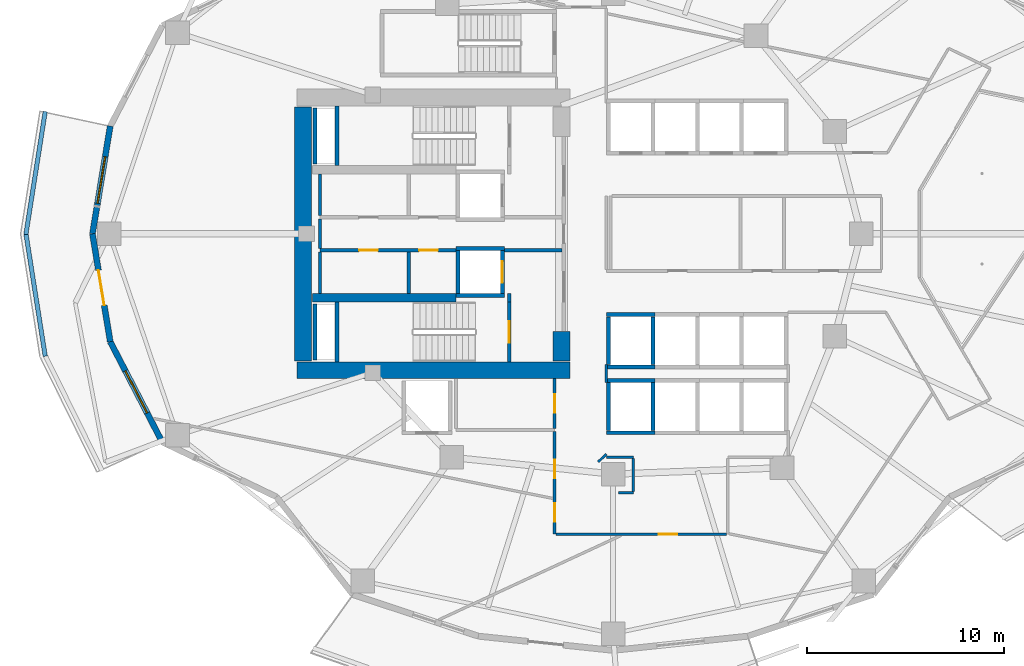
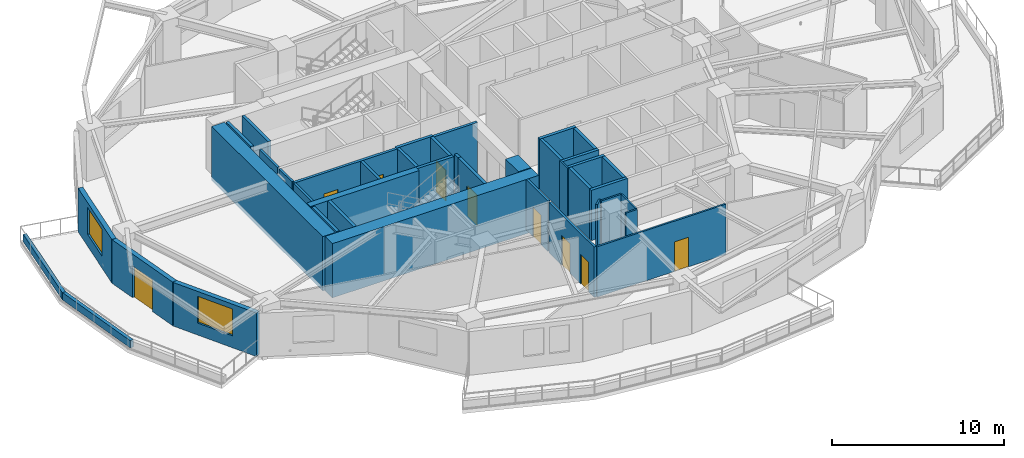
# One storey, part 3 of 14: 41 walls, 9 doors, 2 windows, 11 openings.
"""IFC4 building model written with IfcOpenShell, lengths in metres."""

from ifc_helpers import new_model, si_unit, direction, frame, frame_2d, origin, place, context, subcontext, project, spatial, rectangle, extrude, material, layer, layer_set, type_object, element, fill, save


model = new_model("IFC4")

# Units and contexts
model_context = context("Model", 3, precision=1e-05, world=origin(), true_north=direction((0.0, 1.0)))
body_context = subcontext(model_context, "Body", "Model", "MODEL_VIEW")
ifc_project = project(units=[si_unit("LENGTHUNIT", "METRE"), si_unit("AREAUNIT", "SQUARE_METRE"), si_unit("VOLUMEUNIT", "CUBIC_METRE"), si_unit("PLANEANGLEUNIT", "RADIAN"), si_unit("MASSUNIT", "GRAM", prefix="KILO")], contexts=[model_context])

# Site, building, storey
site_placement = place(None, origin())
site = spatial("IfcSite", under=ifc_project, at=site_placement, CompositionType="ELEMENT")
building_placement = place(site_placement, origin())
building = spatial("IfcBuilding", under=site, at=building_placement, Name="Kolvaren Gate Tower and Convention Centre", CompositionType="ELEMENT")
storey_placement = place(building_placement, frame((0.0, 0.0, 57.300048828125)))
storey = spatial("IfcBuildingStorey", under=building, at=storey_placement, Name="L13", CompositionType="ELEMENT", Elevation=57.300048828125)

# Wall
ifc_material_1 = material(Name="Autoclaved Aerated Masonry Blockwork Class 4 (4.0 MPa)", Category="masonry")
ifc_layer_1 = layer(ifc_material_1, 0.179931640625)
ifc_layer_set_1 = layer_set([ifc_layer_1], Name="Autoclaved Aerated Masonry Blockwork Class 4 (4.0 MPa)")
wall_type_1 = type_object("IfcWallType", Name="ARCH-WL-COMP-180", PredefinedType="SOLIDWALL", material=ifc_layer_set_1)
wall_1_placement = place(storey_placement, frame((24.85009765625, 23.5400390625, 0.0), z_axis=(0.0, 0.0, 1.0), x_axis=(0.0, 1.0, 0.0)))
element("IfcWall", 1, at=wall_1_placement, inside=storey, type_object=wall_type_1, Name="Interior Partition WL-L13-INT-001", PredefinedType="SOLIDWALL", context=body_context, shape_type="SweptSolid", body=[
    extrude(rectangle(XDim=0.419921875, YDim=0.179931640625, at=frame_2d((0.2099609375, 0.0))), origin(), (0.0, 0.0, 1.0), 3.570068359375),
])

# Wall, openings, doors
wall_2_placement = place(storey_placement, frame((15.25, 26.159912109375, 0.0), z_axis=(0.0, 0.0, 1.0), x_axis=(1.0, 0.0, 0.0)))
wall_2 = element("IfcWall", 2, at=wall_2_placement, inside=storey, type_object=wall_type_1, Name="Interior Partition WL-L13-INT-005", PredefinedType="SOLIDWALL", context=body_context, shape_type="SweptSolid", body=[
    extrude(rectangle(XDim=6.89990234375, YDim=0.179931640625, at=frame_2d((3.449951171875, 0.0))), origin(), (0.0, 0.0, 1.0), 3.570068359375),
])
opening_1_placement = place(wall_2_placement, frame((5.02001953125, 0.0, 0.0)))
opening_1 = element("IfcOpeningElement", 3, at=opening_1_placement, cuts=wall_2, Name="Opening DR-01", PredefinedType="OPENING", context=body_context, shape_type="SweptSolid", body=[
    extrude(rectangle(XDim=0.949951171875, YDim=2.10009765625, at=frame_2d((0.47509765625, 1.050048828125))), frame((0.0, 0.099853515625, 0.0), z_axis=(0.0, -1.0, 0.0), x_axis=(1.0, 0.0, 0.0)), (0.0, 0.0, 1.0), 0.199951171875),
])
opening_2_placement = place(wall_2_placement, frame((1.97998046875, 0.0, 0.0)))
opening_2 = element("IfcOpeningElement", 4, at=opening_2_placement, cuts=wall_2, Name="Opening DR-01", PredefinedType="OPENING", context=body_context, shape_type="SweptSolid", body=[
    extrude(rectangle(XDim=0.949951171875, YDim=2.10009765625, at=frame_2d((0.47509765625, 1.050048828125))), frame((0.0, 0.099853515625, 0.0), z_axis=(0.0, -1.0, 0.0), x_axis=(1.0, 0.0, 0.0)), (0.0, 0.0, 1.0), 0.199951171875),
])
ifc_material_2 = material(Name="Painted Architectural Steelwork ASTM A500 Grade C 345 MPa", Category="steel")
door_type_1 = type_object("IfcDoorType", Name="ARCH-DR-RISER-950", OperationType="SINGLE_SWING_RIGHT", PredefinedType="DOOR", material=ifc_material_2)
door_1_placement = place(opening_1_placement, origin())
door_1 = element("IfcDoor", 5, at=door_1_placement, inside=storey, type_object=door_type_1, Name="Domestic Water Meter Closet Door", OperationType="SINGLE_SWING_RIGHT", OverallHeight=2.10009765625, OverallWidth=0.949951171875, PredefinedType="DOOR", context=body_context, shape_type="SweptSolid", body=[
    extrude(rectangle(XDim=0.949951171875, YDim=2.10009765625, at=frame_2d((0.47509765625, 1.050048828125))), frame((0.0, 0.02490234375, 0.0), z_axis=(0.0, -1.0, 0.0), x_axis=(1.0, 0.0, 0.0)), (0.0, 0.0, 1.0), 0.050048828125),
])
fill(opening_1, door_1)
door_2_placement = place(opening_2_placement, origin())
door_2 = element("IfcDoor", 6, at=door_2_placement, inside=storey, type_object=door_type_1, Name="Janitor Equipment Store Door", OperationType="SINGLE_SWING_RIGHT", OverallHeight=2.10009765625, OverallWidth=0.949951171875, PredefinedType="DOOR", context=body_context, shape_type="SweptSolid", body=[
    extrude(rectangle(XDim=0.949951171875, YDim=2.10009765625, at=frame_2d((0.47509765625, 1.050048828125))), frame((0.0, 0.02490234375, 0.0), z_axis=(0.0, -1.0, 0.0), x_axis=(1.0, 0.0, 0.0)), (0.0, 0.0, 1.0), 0.050048828125),
])
fill(opening_2, door_2)

# Walls
wall_3_placement = place(storey_placement, frame((24.60009765625, 26.159912109375, 0.0), z_axis=(0.0, 0.0, 1.0), x_axis=(1.0, 0.0, 0.0)))
element("IfcWall", 7, at=wall_3_placement, inside=storey, type_object=wall_type_1, Name="Interior Partition WL-L13-INT-005 (2)", PredefinedType="SOLIDWALL", context=body_context, shape_type="SweptSolid", body=[
    extrude(rectangle(XDim=2.927978515625, YDim=0.179931640625, at=frame_2d((1.4638671875, 0.0))), origin(), (0.0, 0.0, 1.0), 3.570068359375),
])
wall_4_placement = place(storey_placement, frame((19.75, 23.9619140625, 0.0), z_axis=(0.0, 0.0, 1.0), x_axis=(0.0, 1.0, 0.0)))
element("IfcWall", 8, at=wall_4_placement, inside=storey, type_object=wall_type_1, Name="Interior Partition WL-L13-INT-007", PredefinedType="SOLIDWALL", context=body_context, shape_type="SweptSolid", body=[
    extrude(rectangle(XDim=2.106201171875, YDim=0.179931640625, at=frame_2d((1.05322265625, 0.0))), origin(), (0.0, 0.0, 1.0), 3.570068359375),
])
ifc_material_3 = material(Name="Fire-Rated Acoustic Gypsum Stud Partition", Category="gypsum")
ifc_layer_2 = layer(ifc_material_3, 0.1201171875)
ifc_layer_set_2 = layer_set([ifc_layer_2], Name="Fire-Rated Acoustic Gypsum Stud Partition")
wall_type_2 = type_object("IfcWallType", Name="ARCH-WL-PART-120", PredefinedType="PARTITIONING", material=ifc_layer_set_2)
wall_5_placement = place(storey_placement, frame((29.780029296875, 15.64990234375, 0.0), z_axis=(0.0, 0.0, 1.0), x_axis=(1.0, 0.0, 0.0)))
element("IfcWall", 9, at=wall_5_placement, inside=storey, type_object=wall_type_2, Name="Interior Partition WL-L13-INT-017", PredefinedType="PARTITIONING", context=body_context, shape_type="SweptSolid", body=[
    extrude(rectangle(XDim=1.369873046875, YDim=0.1201171875, at=frame_2d((0.68505859375, 0.0))), origin(), (0.0, 0.0, 1.0), 3.570068359375),
])

# Wall, opening, door
wall_6_placement = place(storey_placement, frame((27.22705078125, 11.75, 0.0), z_axis=(0.0, 0.0, 1.0), x_axis=(1.0, 0.0, 0.0)))
wall_6 = element("IfcWall", 10, at=wall_6_placement, inside=storey, type_object=wall_type_2, Name="Interior Partition WL-L13-INT-020", PredefinedType="PARTITIONING", context=body_context, shape_type="SweptSolid", body=[
    extrude(rectangle(XDim=8.660888671875, YDim=0.1201171875, at=frame_2d((4.33056640625, 0.0))), origin(), (0.0, 0.0, 1.0), 3.570068359375),
])
opening_3_placement = place(wall_6_placement, frame((5.205810546875, 0.0, 0.0)))
opening_3 = element("IfcOpeningElement", 11, at=opening_3_placement, cuts=wall_6, Name="Opening DR-01", PredefinedType="OPENING", context=body_context, shape_type="SweptSolid", body=[
    extrude(rectangle(XDim=0.949951171875, YDim=2.10009765625, at=frame_2d((0.47509765625, 1.050048828125))), frame((0.0, 0.070068359375, 0.0), z_axis=(0.0, -1.0, 0.0), x_axis=(1.0, 0.0, 0.0)), (0.0, 0.0, 1.0), 0.14013671875),
])
door_3_placement = place(opening_3_placement, origin())
door_3 = element("IfcDoor", 12, at=door_3_placement, inside=storey, type_object=door_type_1, Name="Visitor Arrival Foyer Door", OperationType="SINGLE_SWING_LEFT", OverallHeight=2.10009765625, OverallWidth=0.949951171875, PredefinedType="DOOR", context=body_context, shape_type="SweptSolid", body=[
    extrude(rectangle(XDim=0.949951171875, YDim=2.10009765625, at=frame_2d((0.47509765625, 1.050048828125))), frame((0.0, 0.02490234375, 0.0), z_axis=(0.0, -1.0, 0.0), x_axis=(1.0, 0.0, 0.0)), (0.0, 0.0, 1.0), 0.050048828125),
])
fill(opening_3, door_3)

# Walls
wall_7_placement = place(storey_placement, frame((29.780029296875, 19.43994140625, 0.0), z_axis=(0.0, 0.0, 1.0), x_axis=(0.0, 1.0, 0.0)))
element("IfcWall", 13, at=wall_7_placement, inside=storey, type_object=wall_type_2, Name="Interior Partition WL-L13-INT-023", PredefinedType="PARTITIONING", context=body_context, shape_type="SweptSolid", body=[
    extrude(rectangle(XDim=0.920166015625, YDim=0.1201171875, at=frame_2d((0.4599609375, 0.0))), origin(), (0.0, 0.0, 1.0), 3.570068359375),
])
wall_8_placement = place(storey_placement, frame((29.366943359375, 15.422119140625, 0.0), z_axis=(0.0, 0.0, 1.0), x_axis=(0.730667420492, 0.682733564893, 0.0)))
element("IfcWall", 14, at=wall_8_placement, inside=storey, type_object=wall_type_2, Name="Interior Partition WL-L13-INT-037", PredefinedType="PARTITIONING", context=body_context, shape_type="SweptSolid", body=[
    extrude(rectangle(XDim=0.5654296875, YDim=0.1201171875, at=frame_2d((0.28271484375, 0.0))), origin(), (0.0, 0.0, 1.0), 3.570068359375),
])
wall_9_placement = place(storey_placement, frame((30.39111328125, 13.85009765625, 0.0), z_axis=(0.0, 0.0, 1.0), x_axis=(1.0, 0.0, 0.0)))
element("IfcWall", 15, at=wall_9_placement, inside=storey, type_object=wall_type_2, Name="Interior Partition WL-L13-INT-038", PredefinedType="PARTITIONING", context=body_context, shape_type="SweptSolid", body=[
    extrude(rectangle(XDim=0.7587890625, YDim=0.1201171875, at=frame_2d((0.37939453125, 0.0))), origin(), (0.0, 0.0, 1.0), 3.570068359375),
])
wall_10_placement = place(storey_placement, frame((31.14990234375, 13.912109375, 0.0), z_axis=(0.0, 0.0, 1.0), x_axis=(0.0, 1.0, 0.0)))
element("IfcWall", 16, at=wall_10_placement, inside=storey, type_object=wall_type_2, Name="Interior Partition WL-L13-INT-039", PredefinedType="PARTITIONING", context=body_context, shape_type="SweptSolid", body=[
    extrude(rectangle(XDim=1.67578125, YDim=0.1201171875, at=frame_2d((0.837890625, 0.0))), origin(), (0.0, 0.0, 1.0), 3.570068359375),
])
ifc_material_4 = material(Name="Piedmont Cream Honed Limestone Cladding", Category="masonry")
ifc_layer_3 = layer(ifc_material_4, 0.219970703125)
ifc_layer_set_3 = layer_set([ifc_layer_3], Name="Piedmont Cream Honed Limestone Cladding")
wall_type_3 = type_object("IfcWallType", Name="ARCH-WL-PLANTER-220", PredefinedType="PARAPET", material=ifc_layer_set_3)
for number, where, z_axis, x_axis, name in (
    (17, (0.305908203125, 26.970703125, 0.0), (0.0, 0.0, 1.0), (0.15545655238, 0.987842730561, 0.0), "Vertical-Forest Balcony Stone Planter Kerb PK-L13-2.1"),
    (18, (0.305908203125, 27.029296875, 0.0), (0.0, 0.0, 1.0), (0.15545655238, -0.987842730561, 0.0), "Vertical-Forest Balcony Stone Planter Kerb PK-L13-2.2"),
):
    element("IfcWall", number, at=place(storey_placement, frame(where, z_axis=z_axis, x_axis=x_axis)), inside=storey, type_object=wall_type_3, Name=name, PredefinedType="PARAPET", context=body_context, shape_type="SweptSolid", body=[
        extrude(rectangle(XDim=6.318115234375, YDim=0.219970703125, at=frame_2d((3.1591796875, 0.0))), origin(), (0.0, 0.0, 1.0), 0.52001953125),
    ])
ifc_layer_4 = layer(ifc_material_1, 0.199951171875)
ifc_layer_set_4 = layer_set([ifc_layer_4], Name="Autoclaved Aerated Masonry Blockwork Class 4 (4.0 MPa)")
wall_type_4 = type_object("IfcWallType", Name="ARCH-WL-SHAFT-200", PredefinedType="SOLIDWALL", material=ifc_layer_set_4)
for number, where, z_axis, x_axis, name in (
    (19, (22.14990234375, 26.260009765625, 0.0), (0.0, 0.0, 1.0), (1.0, 0.0, 0.0), "Elevator FF-02 L13 Fire Shaft Wall N"),
    (20, (22.14990234375, 23.860107421875, 0.0), (0.0, 0.0, 1.0), (1.0, 0.0, 0.0), "Elevator FF-02 L13 Fire Shaft Wall S"),
):
    element("IfcWall", number, at=place(storey_placement, frame(where, z_axis=z_axis, x_axis=x_axis)), inside=storey, type_object=wall_type_4, Name=name, PredefinedType="SOLIDWALL", context=body_context, shape_type="SweptSolid", body=[
        extrude(rectangle(XDim=2.4501953125, YDim=0.199951171875, at=frame_2d((1.22509765625, 0.0))), origin(), (0.0, 0.0, 1.0), 3.570068359375),
    ])
wall_11_placement = place(storey_placement, frame((22.25, 23.969970703125, 0.0), z_axis=(0.0, 0.0, 1.0), x_axis=(0.0, 1.0, 0.0)))
element("IfcWall", 21, at=wall_11_placement, inside=storey, type_object=wall_type_4, Name="Elevator FF-02 L13 Fire Shaft Wall W", PredefinedType="SOLIDWALL", context=body_context, shape_type="SweptSolid", body=[
    extrude(rectangle(XDim=2.179931640625, YDim=0.199951171875, at=frame_2d((1.08984375, 0.0))), origin(), (0.0, 0.0, 1.0), 3.570068359375),
])

# Wall, opening, door
wall_12_placement = place(storey_placement, frame((24.5, 23.969970703125, 0.0), z_axis=(0.0, 0.0, 1.0), x_axis=(0.0, 1.0, 0.0)))
wall_12 = element("IfcWall", 22, at=wall_12_placement, inside=storey, type_object=wall_type_4, Name="Elevator FF-02 L13 Fire Shaft Wall E", PredefinedType="SOLIDWALL", context=body_context, shape_type="SweptSolid", body=[
    extrude(rectangle(XDim=2.179931640625, YDim=0.199951171875, at=frame_2d((1.08984375, 0.0))), origin(), (0.0, 0.0, 1.0), 3.570068359375),
])
opening_4_placement = place(wall_12_placement, frame((0.5400390625, 0.0, 0.0)))
opening_4 = element("IfcOpeningElement", 23, at=opening_4_placement, cuts=wall_12, Name="Opening LD", PredefinedType="OPENING", context=body_context, shape_type="SweptSolid", body=[
    extrude(rectangle(XDim=1.10009765625, YDim=2.199951171875, at=frame_2d((0.550048828125, 1.10009765625))), frame((0.0, 0.10986328125, 0.0), z_axis=(0.0, -1.0, 0.0), x_axis=(1.0, 0.0, 0.0)), (0.0, 0.0, 1.0), 0.219970703125),
])
ifc_material_5 = material(Name="Brushed Stainless Steel Grade 316L", Category="steel")
door_type_2 = type_object("IfcDoorType", Name="ARCH-DR-LIFT-1100", OperationType="SLIDING_TO_LEFT", PredefinedType="DOOR", material=ifc_material_5)
door_4_placement = place(opening_4_placement, origin())
door_4 = element("IfcDoor", 24, at=door_4_placement, inside=storey, type_object=door_type_2, Name="Elevator FF-02 L13 Sliding Landing Door", OperationType="SLIDING_TO_LEFT", OverallHeight=2.199951171875, OverallWidth=1.10009765625, PredefinedType="DOOR", context=body_context, shape_type="SweptSolid", body=[
    extrude(rectangle(XDim=1.10009765625, YDim=2.199951171875, at=frame_2d((0.550048828125, 1.10009765625))), frame((0.0, 0.02490234375, 0.0), z_axis=(0.0, -1.0, 0.0), x_axis=(1.0, 0.0, 0.0)), (0.0, 0.0, 1.0), 0.050048828125),
])
fill(opening_4, door_4)

# Walls
for number, where, z_axis, x_axis, name in (
    (25, (29.800048828125, 19.550048828125, 0.0), (0.0, 0.0, 1.0), (1.0, 0.0, 0.0), "Elevator PL-05 L13 Fire Shaft Wall N"),
    (26, (29.800048828125, 16.89990234375, 0.0), (0.0, 0.0, 1.0), (1.0, 0.0, 0.0), "Elevator PL-05 L13 Fire Shaft Wall S"),
):
    element("IfcWall", number, at=place(storey_placement, frame(where, z_axis=z_axis, x_axis=x_axis)), inside=storey, type_object=wall_type_4, Name=name, PredefinedType="SOLIDWALL", context=body_context, shape_type="SweptSolid", body=[
        extrude(rectangle(XDim=2.449951171875, YDim=0.199951171875, at=frame_2d((1.22509765625, 0.0))), origin(), (0.0, 0.0, 1.0), 3.570068359375),
    ])
for number, where, z_axis, x_axis, name in (
    (27, (29.89990234375, 17.010009765625, 0.0), (0.0, 0.0, 1.0), (0.0, 1.0, 0.0), "Elevator PL-05 L13 Fire Shaft Wall W"),
    (28, (32.14990234375, 17.010009765625, 0.0), (0.0, 0.0, 1.0), (0.0, 1.0, 0.0), "Elevator PL-05 L13 Fire Shaft Wall E"),
):
    element("IfcWall", number, at=place(storey_placement, frame(where, z_axis=z_axis, x_axis=x_axis)), inside=storey, type_object=wall_type_4, Name=name, PredefinedType="SOLIDWALL", context=body_context, shape_type="SweptSolid", body=[
        extrude(rectangle(XDim=2.429931640625, YDim=0.199951171875, at=frame_2d((1.21484375, 0.0))), origin(), (0.0, 0.0, 1.0), 3.570068359375),
    ])
for number, where, z_axis, x_axis, name in (
    (29, (29.800048828125, 22.89990234375, 0.0), (0.0, 0.0, 1.0), (1.0, 0.0, 0.0), "Elevator PL-09 L13 Fire Shaft Wall N"),
    (30, (29.800048828125, 20.25, 0.0), (0.0, 0.0, 1.0), (1.0, 0.0, 0.0), "Elevator PL-09 L13 Fire Shaft Wall S"),
):
    element("IfcWall", number, at=place(storey_placement, frame(where, z_axis=z_axis, x_axis=x_axis)), inside=storey, type_object=wall_type_4, Name=name, PredefinedType="SOLIDWALL", context=body_context, shape_type="SweptSolid", body=[
        extrude(rectangle(XDim=2.449951171875, YDim=0.199951171875, at=frame_2d((1.22509765625, 0.0))), origin(), (0.0, 0.0, 1.0), 3.570068359375),
    ])
for number, where, z_axis, x_axis, name in (
    (31, (29.89990234375, 20.360107421875, 0.0), (0.0, 0.0, 1.0), (0.0, 1.0, 0.0), "Elevator PL-09 L13 Fire Shaft Wall W"),
    (32, (32.14990234375, 20.360107421875, 0.0), (0.0, 0.0, 1.0), (0.0, 1.0, 0.0), "Elevator PL-09 L13 Fire Shaft Wall E"),
):
    element("IfcWall", number, at=place(storey_placement, frame(where, z_axis=z_axis, x_axis=x_axis)), inside=storey, type_object=wall_type_4, Name=name, PredefinedType="SOLIDWALL", context=body_context, shape_type="SweptSolid", body=[
        extrude(rectangle(XDim=2.429931640625, YDim=0.199951171875, at=frame_2d((1.21484375, 0.0))), origin(), (0.0, 0.0, 1.0), 3.570068359375),
    ])
for number, where, z_axis, x_axis, name in (
    (33, (14.989990234375, 30.550048828125, 0.0), (0.0, 0.0, 1.0), (0.0, 1.0, 0.0), "Vertical Shaft HVR L13 EI-120 Enclosure Wall W"),
    (34, (14.989990234375, 20.60009765625, 0.0), (0.0, 0.0, 1.0), (0.0, 1.0, 0.0), "Vertical Shaft MPR L13 EI-120 Enclosure Wall W"),
):
    element("IfcWall", number, at=place(storey_placement, frame(where, z_axis=z_axis, x_axis=x_axis)), inside=storey, type_object=wall_type_4, Name=name, PredefinedType="SOLIDWALL", context=body_context, shape_type="SweptSolid", body=[
        extrude(rectangle(XDim=2.849853515625, YDim=0.199951171875, at=frame_2d((1.4248046875, 0.0))), origin(), (0.0, 0.0, 1.0), 3.570068359375),
    ])

# Wall, opening, window
ifc_layer_5 = layer(ifc_material_4, 0.300048828125)
ifc_layer_set_5 = layer_set([ifc_layer_5], Name="Piedmont Cream Honed Limestone Cladding")
wall_type_5 = type_object("IfcWallType", Name="ARCH-WL-STONE-300", PredefinedType="SOLIDWALL", material=ifc_layer_set_5)
wall_13_placement = place(storey_placement, frame((3.6875, 27.0, 0.0), z_axis=(0.0, 0.0, 1.0), x_axis=(0.162386212206, 0.986727276447, 0.0)))
wall_13 = element("IfcWall", 35, at=wall_13_placement, inside=storey, type_object=wall_type_5, Name="Tower L13 Honed Stone Spandrel Wall EW-11", PredefinedType="SOLIDWALL", context=body_context, shape_type="SweptSolid", body=[
    extrude(rectangle(XDim=5.5478515625, YDim=0.300048828125, at=frame_2d((2.77392578125, 0.0))), origin(), (0.0, 0.0, 1.0), 3.093017578125),
])
opening_5_placement = place(wall_13_placement, frame((1.573974609375, 0.0, 0.85009765625)))
opening_5 = element("IfcOpeningElement", 36, at=opening_5_placement, cuts=wall_13, Name="Opening W-01", PredefinedType="OPENING", context=body_context, shape_type="SweptSolid", body=[
    extrude(rectangle(XDim=2.39990234375, YDim=1.89990234375, at=frame_2d((1.199951171875, 0.949951171875))), frame((0.0, 0.159912109375, 0.0), z_axis=(0.0, -1.0, 0.0), x_axis=(1.0, 0.0, 0.0)), (0.0, 0.0, 1.0), 0.320068359375),
])
ifc_material_6 = material(Name="Low-E Triple Insulated Glazing Unit 44 mm", Category="glass")
window_type = type_object("IfcWindowType", Name="ARCH-WN-OFF-2400", PartitioningType="SINGLE_PANEL", PredefinedType="WINDOW", material=ifc_material_6)
window_1_placement = place(opening_5_placement, origin())
window_1 = element("IfcWindow", 37, at=window_1_placement, inside=storey, type_object=window_type, Name="Tower L13 Punched Stone Facade Window W-11", OverallHeight=1.89990234375, OverallWidth=2.39990234375, PartitioningType="SINGLE_PANEL", PredefinedType="WINDOW", context=body_context, shape_type="SweptSolid", body=[
    extrude(rectangle(XDim=2.39990234375, YDim=1.89990234375, at=frame_2d((1.199951171875, 0.949951171875))), frame((0.0, 0.030029296875, 0.0), z_axis=(0.0, -1.0, 0.0), x_axis=(1.0, 0.0, 0.0)), (0.0, 0.0, 1.0), 0.06005859375),
])
fill(opening_5, window_1)

# Wall, opening, door
wall_14_placement = place(storey_placement, frame((3.6875, 27.0, 0.0), z_axis=(0.0, 0.0, 1.0), x_axis=(0.162386212206, -0.986727276447, 0.0)))
wall_14 = element("IfcWall", 38, at=wall_14_placement, inside=storey, type_object=wall_type_5, Name="Tower L13 Honed Stone Spandrel Wall EW-12", PredefinedType="SOLIDWALL", context=body_context, shape_type="SweptSolid", body=[
    extrude(rectangle(XDim=5.5478515625, YDim=0.300048828125, at=frame_2d((2.77392578125, 0.0))), origin(), (0.0, 0.0, 1.0), 3.093017578125),
])
opening_6_placement = place(wall_14_placement, frame((1.8740234375, 0.0, 0.0)))
opening_6 = element("IfcOpeningElement", 39, at=opening_6_placement, cuts=wall_14, Name="Opening DB-01", PredefinedType="OPENING", context=body_context, shape_type="SweptSolid", body=[
    extrude(rectangle(XDim=1.800048828125, YDim=2.25, at=frame_2d((0.89990234375, 1.125))), frame((0.0, 0.159912109375, 0.0), z_axis=(0.0, -1.0, 0.0), x_axis=(1.0, 0.0, 0.0)), (0.0, 0.0, 1.0), 0.320068359375),
])
ifc_material_7 = material(Name="Anodized Architectural Aluminium Alloy 6063-T6", Category="aluminium")
door_type_3 = type_object("IfcDoorType", Name="ARCH-DR-BALC-1800", OperationType="SLIDING_TO_LEFT", PredefinedType="DOOR", material=ifc_material_7)
door_5_placement = place(opening_6_placement, frame((1.800048828125, 0.0, 0.0), z_axis=(0.0, 0.0, 1.0), x_axis=(-1.0, 0.0, 0.0)))
door_5 = element("IfcDoor", 40, at=door_5_placement, inside=storey, type_object=door_type_3, Name="Planted Sky Terrace Access Door DB-L13-12", OperationType="SLIDING_TO_LEFT", OverallHeight=2.25, OverallWidth=1.800048828125, PredefinedType="DOOR", context=body_context, shape_type="SweptSolid", body=[
    extrude(rectangle(XDim=1.800048828125, YDim=2.25, at=frame_2d((0.89990234375, 1.125))), frame((0.0, 0.02490234375, 0.0), z_axis=(0.0, -1.0, 0.0), x_axis=(1.0, 0.0, 0.0)), (0.0, 0.0, 1.0), 0.050048828125),
])
fill(opening_6, door_5)

# Wall, opening, window
wall_15_placement = place(storey_placement, frame((4.58837890625, 21.52587890625, 0.0), z_axis=(0.0, 0.0, 1.0), x_axis=(0.459800981414, -0.888021991558, 0.0)))
wall_15 = element("IfcWall", 41, at=wall_15_placement, inside=storey, type_object=wall_type_5, Name="Tower L13 Honed Stone Spandrel Wall EW-13", PredefinedType="SOLIDWALL", context=body_context, shape_type="SweptSolid", body=[
    extrude(rectangle(XDim=5.744140625, YDim=0.300048828125, at=frame_2d((2.8720703125, 0.0))), origin(), (0.0, 0.0, 1.0), 3.093017578125),
])
opening_7_placement = place(wall_15_placement, frame((1.672119140625, 0.0, 0.85009765625)))
opening_7 = element("IfcOpeningElement", 42, at=opening_7_placement, cuts=wall_15, Name="Opening W-01", PredefinedType="OPENING", context=body_context, shape_type="SweptSolid", body=[
    extrude(rectangle(XDim=2.39990234375, YDim=1.89990234375, at=frame_2d((1.199951171875, 0.949951171875))), frame((0.0, 0.159912109375, 0.0), z_axis=(0.0, -1.0, 0.0), x_axis=(1.0, 0.0, 0.0)), (0.0, 0.0, 1.0), 0.320068359375),
])
window_2_placement = place(opening_7_placement, origin())
window_2 = element("IfcWindow", 43, at=window_2_placement, inside=storey, type_object=window_type, Name="Tower L13 Punched Stone Facade Window W-13", OverallHeight=1.89990234375, OverallWidth=2.39990234375, PartitioningType="SINGLE_PANEL", PredefinedType="WINDOW", context=body_context, shape_type="SweptSolid", body=[
    extrude(rectangle(XDim=2.39990234375, YDim=1.89990234375, at=frame_2d((1.199951171875, 0.949951171875))), frame((0.0, 0.030029296875, 0.0), z_axis=(0.0, -1.0, 0.0), x_axis=(1.0, 0.0, 0.0)), (0.0, 0.0, 1.0), 0.06005859375),
])
fill(opening_7, window_2)

# Walls
ifc_material_8 = material(Name="Moisture-Resistant Cement-Board Acoustic Partition", Category="gypsum")
ifc_layer_6 = layer(ifc_material_8, 0.14990234375)
ifc_layer_set_6 = layer_set([ifc_layer_6], Name="Moisture-Resistant Cement-Board Acoustic Partition")
wall_type_6 = type_object("IfcWallType", Name="ARCH-WL-WET-150", PredefinedType="PARTITIONING", material=ifc_layer_set_6)
wall_16_placement = place(storey_placement, frame((15.25, 23.9619140625, 0.0), z_axis=(0.0, 0.0, 1.0), x_axis=(0.0, 1.0, 0.0)))
element("IfcWall", 44, at=wall_16_placement, inside=storey, type_object=wall_type_6, Name="Interior Partition WL-L13-INT-006", PredefinedType="PARTITIONING", context=body_context, shape_type="SweptSolid", body=[
    extrude(rectangle(XDim=2.106201171875, YDim=0.14990234375, at=frame_2d((1.05322265625, 0.0))), origin(), (0.0, 0.0, 1.0), 3.570068359375),
])
wall_17_placement = place(storey_placement, frame((15.25, 26.251953125, 0.0), z_axis=(0.0, 0.0, 1.0), x_axis=(0.0, 1.0, 0.0)))
element("IfcWall", 45, at=wall_17_placement, inside=storey, type_object=wall_type_6, Name="Interior Partition WL-L13-INT-006 (2)", PredefinedType="PARTITIONING", context=body_context, shape_type="SweptSolid", body=[
    extrude(rectangle(XDim=1.49609375, YDim=0.14990234375, at=frame_2d((0.748046875, 0.0))), origin(), (0.0, 0.0, 1.0), 3.570068359375),
])
wall_18_placement = place(storey_placement, frame((15.25, 27.931884765625, 0.0), z_axis=(0.0, 0.0, 1.0), x_axis=(0.0, 1.0, 0.0)))
element("IfcWall", 46, at=wall_18_placement, inside=storey, type_object=wall_type_6, Name="Interior Partition WL-L13-INT-006 (3)", PredefinedType="PARTITIONING", context=body_context, shape_type="SweptSolid", body=[
    extrude(rectangle(XDim=2.106201171875, YDim=0.14990234375, at=frame_2d((1.05322265625, 0.0))), origin(), (0.0, 0.0, 1.0), 3.570068359375),
])

# Wall, openings, doors
wall_19_placement = place(storey_placement, frame((27.14990234375, 11.75, 0.0), z_axis=(0.0, 0.0, 1.0), x_axis=(0.0, 1.0, 0.0)))
wall_19 = element("IfcWall", 47, at=wall_19_placement, inside=storey, type_object=wall_type_6, Name="Interior Partition WL-L13-INT-011", PredefinedType="PARTITIONING", context=body_context, shape_type="SweptSolid", body=[
    extrude(rectangle(XDim=5.222900390625, YDim=0.14990234375, at=frame_2d((2.611328125, 0.0))), origin(), (0.0, 0.0, 1.0), 3.570068359375),
])
opening_8_placement = place(wall_19_placement, frame((0.63134765625, 0.0, 0.0)))
opening_8 = element("IfcOpeningElement", 48, at=opening_8_placement, cuts=wall_19, Name="Opening DR-01", PredefinedType="OPENING", context=body_context, shape_type="SweptSolid", body=[
    extrude(rectangle(XDim=0.949951171875, YDim=2.10009765625, at=frame_2d((0.47509765625, 1.050048828125))), frame((0.0, 0.0849609375, 0.0), z_axis=(0.0, -1.0, 0.0), x_axis=(1.0, 0.0, 0.0)), (0.0, 0.0, 1.0), 0.169921875),
])
opening_9_placement = place(wall_19_placement, frame((2.828125, 0.0, 0.0)))
opening_9 = element("IfcOpeningElement", 49, at=opening_9_placement, cuts=wall_19, Name="Opening DR-01", PredefinedType="OPENING", context=body_context, shape_type="SweptSolid", body=[
    extrude(rectangle(XDim=0.949951171875, YDim=2.10009765625, at=frame_2d((0.47509765625, 1.050048828125))), frame((0.0, 0.0849609375, 0.0), z_axis=(0.0, -1.0, 0.0), x_axis=(1.0, 0.0, 0.0)), (0.0, 0.0, 1.0), 0.169921875),
])
door_6_placement = place(opening_8_placement, origin())
door_6 = element("IfcDoor", 50, at=door_6_placement, inside=storey, type_object=door_type_1, Name="Design Flagship Showroom Door", OperationType="SINGLE_SWING_RIGHT", OverallHeight=2.10009765625, OverallWidth=0.949951171875, PredefinedType="DOOR", context=body_context, shape_type="SweptSolid", body=[
    extrude(rectangle(XDim=0.949951171875, YDim=2.10009765625, at=frame_2d((0.47509765625, 1.050048828125))), frame((0.0, 0.02490234375, 0.0), z_axis=(0.0, -1.0, 0.0), x_axis=(1.0, 0.0, 0.0)), (0.0, 0.0, 1.0), 0.050048828125),
])
fill(opening_8, door_6)
door_7_placement = place(opening_9_placement, origin())
door_7 = element("IfcDoor", 51, at=door_7_placement, inside=storey, type_object=door_type_1, Name="Grand Client Arrival Foyer Door", OperationType="SINGLE_SWING_RIGHT", OverallHeight=2.10009765625, OverallWidth=0.949951171875, PredefinedType="DOOR", context=body_context, shape_type="SweptSolid", body=[
    extrude(rectangle(XDim=0.949951171875, YDim=2.10009765625, at=frame_2d((0.47509765625, 1.050048828125))), frame((0.0, 0.02490234375, 0.0), z_axis=(0.0, -1.0, 0.0), x_axis=(1.0, 0.0, 0.0)), (0.0, 0.0, 1.0), 0.050048828125),
])
fill(opening_9, door_7)

# Wall, opening, door
wall_20_placement = place(storey_placement, frame((27.14990234375, 17.126953125, 0.0), z_axis=(0.0, 0.0, 1.0), x_axis=(0.0, 1.0, 0.0)))
wall_20 = element("IfcWall", 52, at=wall_20_placement, inside=storey, type_object=wall_type_6, Name="Interior Partition WL-L13-INT-011 (2)", PredefinedType="PARTITIONING", context=body_context, shape_type="SweptSolid", body=[
    extrude(rectangle(XDim=2.52099609375, YDim=0.14990234375, at=frame_2d((1.260498046875, 0.0))), origin(), (0.0, 0.0, 1.0), 3.570068359375),
])
opening_10_placement = place(wall_20_placement, frame((0.785400390625, 0.0, 0.0)))
opening_10 = element("IfcOpeningElement", 53, at=opening_10_placement, cuts=wall_20, Name="Opening DR-01", PredefinedType="OPENING", context=body_context, shape_type="SweptSolid", body=[
    extrude(rectangle(XDim=0.949951171875, YDim=2.10009765625, at=frame_2d((0.47509765625, 1.050048828125))), frame((0.0, 0.0849609375, 0.0), z_axis=(0.0, -1.0, 0.0), x_axis=(1.0, 0.0, 0.0)), (0.0, 0.0, 1.0), 0.169921875),
])
door_8_placement = place(opening_10_placement, origin())
door_8 = element("IfcDoor", 54, at=door_8_placement, inside=storey, type_object=door_type_1, Name="West Linen and Supply Store Door", OperationType="SINGLE_SWING_LEFT", OverallHeight=2.10009765625, OverallWidth=0.949951171875, PredefinedType="DOOR", context=body_context, shape_type="SweptSolid", body=[
    extrude(rectangle(XDim=0.949951171875, YDim=2.10009765625, at=frame_2d((0.47509765625, 1.050048828125))), frame((0.0, 0.02490234375, 0.0), z_axis=(0.0, -1.0, 0.0), x_axis=(1.0, 0.0, 0.0)), (0.0, 0.0, 1.0), 0.050048828125),
])
fill(opening_10, door_8)

# Walls
ifc_material_9 = material(Name="Concrete C50/60", Category="concrete")
ifc_layer_7 = layer(ifc_material_9, 0.419921875)
ifc_layer_set_7 = layer_set([ifc_layer_7], Name="Concrete C50/60")
wall_type_7 = type_object("IfcWallType", Name="STR-WL-CONV-420", PredefinedType="SHEAR", material=ifc_layer_set_7)
wall_21_placement = place(storey_placement, frame((14.85009765625, 23.75, -0.280029296875), z_axis=(0.0, 0.0, 1.0), x_axis=(1.0, 0.0, 0.0)))
element("IfcWall", 55, at=wall_21_placement, inside=storey, type_object=wall_type_7, Name="Tower L13 Offset Core Shear Wall WS", PredefinedType="SHEAR", context=body_context, shape_type="SweptSolid", body=[
    extrude(rectangle(XDim=7.2998046875, YDim=0.419921875, at=frame_2d((3.64990234375, 0.0))), origin(), (0.0, 0.0, 1.0), 3.85009765625),
])
ifc_material_10 = material(Name="Concrete C70/85", Category="concrete")
ifc_layer_8 = layer(ifc_material_10, 0.85009765625)
ifc_layer_set_8 = layer_set([ifc_layer_8], Name="Concrete C70/85")
wall_type_8 = type_object("IfcWallType", Name="STR-WL-CORE-850", PredefinedType="SHEAR", material=ifc_layer_set_8)
wall_22_placement = place(storey_placement, frame((14.074951171875, 20.074951171875, -0.280029296875), z_axis=(0.0, 0.0, 1.0), x_axis=(1.0, 0.0, 0.0)))
element("IfcWall", 56, at=wall_22_placement, inside=storey, type_object=wall_type_8, Name="Tower L13 Offset Core Shear Wall S", PredefinedType="SHEAR", context=body_context, shape_type="SweptSolid", body=[
    extrude(rectangle(XDim=13.85009765625, YDim=0.85009765625, at=frame_2d((6.925048828125, 0.0))), origin(), (0.0, 0.0, 1.0), 3.85009765625),
])
wall_23_placement = place(storey_placement, frame((14.375, 20.550048828125, -0.280029296875), z_axis=(0.0, 0.0, 1.0), x_axis=(0.0, 1.0, 0.0)))
element("IfcWall", 57, at=wall_23_placement, inside=storey, type_object=wall_type_8, Name="Tower L13 Offset Core Shear Wall W", PredefinedType="SHEAR", context=body_context, shape_type="SweptSolid", body=[
    extrude(rectangle(XDim=12.89990234375, YDim=0.85009765625, at=frame_2d((6.449951171875, 0.0))), origin(), (0.0, 0.0, 1.0), 3.85009765625),
])
wall_24_placement = place(storey_placement, frame((27.5, 20.550048828125, -0.280029296875), z_axis=(0.0, 0.0, 1.0), x_axis=(0.0, 1.0, 0.0)))
element("IfcWall", 58, at=wall_24_placement, inside=storey, type_object=wall_type_8, Name="Tower L13 Offset Core Shear Wall ES", PredefinedType="SHEAR", context=body_context, shape_type="SweptSolid", body=[
    extrude(rectangle(XDim=1.5, YDim=0.85009765625, at=frame_2d((0.75, 0.0))), origin(), (0.0, 0.0, 1.0), 3.85009765625),
])
ifc_layer_9 = layer(ifc_material_9, 0.199951171875)
ifc_layer_set_9 = layer_set([ifc_layer_9], Name="Concrete C50/60")
wall_type_9 = type_object("IfcWallType", Name="STR-WL-SHAFT-200", PredefinedType="SHEAR", material=ifc_layer_set_9)
wall_25_placement = place(storey_placement, frame((16.10009765625, 30.4619140625, -0.280029296875), z_axis=(0.0, 0.0, 1.0), x_axis=(0.0, 1.0, 0.0)))
element("IfcWall", 59, at=wall_25_placement, inside=storey, type_object=wall_type_9, Name="Tower North Exit Stair ST-T1 L13 Structural Shear Enclosure Wall FAR", PredefinedType="SHEAR", context=body_context, shape_type="SweptSolid", body=[
    extrude(rectangle(XDim=3.0361328125, YDim=0.199951171875, at=frame_2d((1.51806640625, 0.0))), origin(), (0.0, 0.0, 1.0), 3.85009765625),
])

# Wall, opening, door
wall_26_placement = place(storey_placement, frame((24.85009765625, 20.501953125, -0.280029296875), z_axis=(0.0, 0.0, 1.0), x_axis=(0.0, 1.0, 0.0)))
wall_26 = element("IfcWall", 60, at=wall_26_placement, inside=storey, type_object=wall_type_9, Name="Tower South Exit Stair ST-T2 L13 Structural Shear Enclosure Wall NEAR", PredefinedType="SHEAR", context=body_context, shape_type="SweptSolid", body=[
    extrude(rectangle(XDim=3.0380859375, YDim=0.199951171875, at=frame_2d((1.51904296875, 0.0))), origin(), (0.0, 0.0, 1.0), 3.85009765625),
])
opening_11_placement = place(wall_26_placement, frame((0.968994140625, 0.0, 0.280029296875)))
opening_11 = element("IfcOpeningElement", 61, at=opening_11_placement, cuts=wall_26, Name="Opening DS-01", PredefinedType="OPENING", context=body_context, shape_type="SweptSolid", body=[
    extrude(rectangle(XDim=1.10009765625, YDim=2.14990234375, at=frame_2d((0.550048828125, 1.074951171875))), frame((0.0, 0.10986328125, 0.0), z_axis=(0.0, -1.0, 0.0), x_axis=(1.0, 0.0, 0.0)), (0.0, 0.0, 1.0), 0.219970703125),
])
door_type_4 = type_object("IfcDoorType", Name="ARCH-DR-STAIR-1100", OperationType="SINGLE_SWING_LEFT", PredefinedType="DOOR", material=ifc_material_2)
door_9_placement = place(opening_11_placement, origin())
door_9 = element("IfcDoor", 62, at=door_9_placement, inside=storey, type_object=door_type_4, Name="Tower South Exit Stair ST-T2 L13 Fire Exit Stair Door", OperationType="SINGLE_SWING_LEFT", OverallHeight=2.14990234375, OverallWidth=1.10009765625, PredefinedType="DOOR", context=body_context, shape_type="SweptSolid", body=[
    extrude(rectangle(XDim=1.10009765625, YDim=2.14990234375, at=frame_2d((0.550048828125, 1.074951171875))), frame((0.0, 0.02490234375, 0.0), z_axis=(0.0, -1.0, 0.0), x_axis=(1.0, 0.0, 0.0)), (0.0, 0.0, 1.0), 0.050048828125),
])
fill(opening_11, door_9)

# Wall
wall_27_placement = place(storey_placement, frame((16.10009765625, 20.501953125, -0.280029296875), z_axis=(0.0, 0.0, 1.0), x_axis=(0.0, 1.0, 0.0)))
element("IfcWall", 63, at=wall_27_placement, inside=storey, type_object=wall_type_9, Name="Tower South Exit Stair ST-T2 L13 Structural Shear Enclosure Wall FAR", PredefinedType="SHEAR", context=body_context, shape_type="SweptSolid", body=[
    extrude(rectangle(XDim=3.0361328125, YDim=0.199951171875, at=frame_2d((1.51806640625, 0.0))), origin(), (0.0, 0.0, 1.0), 3.85009765625),
])

save(model, "model.ifc")
